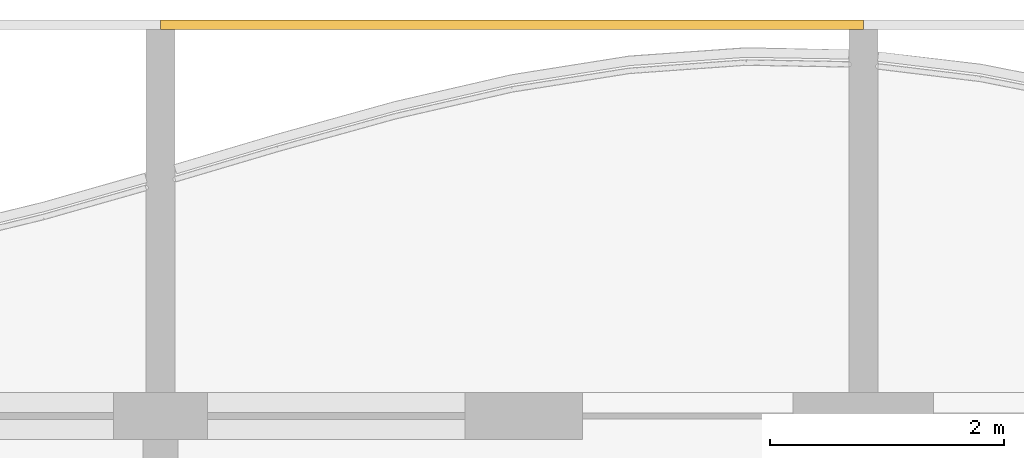
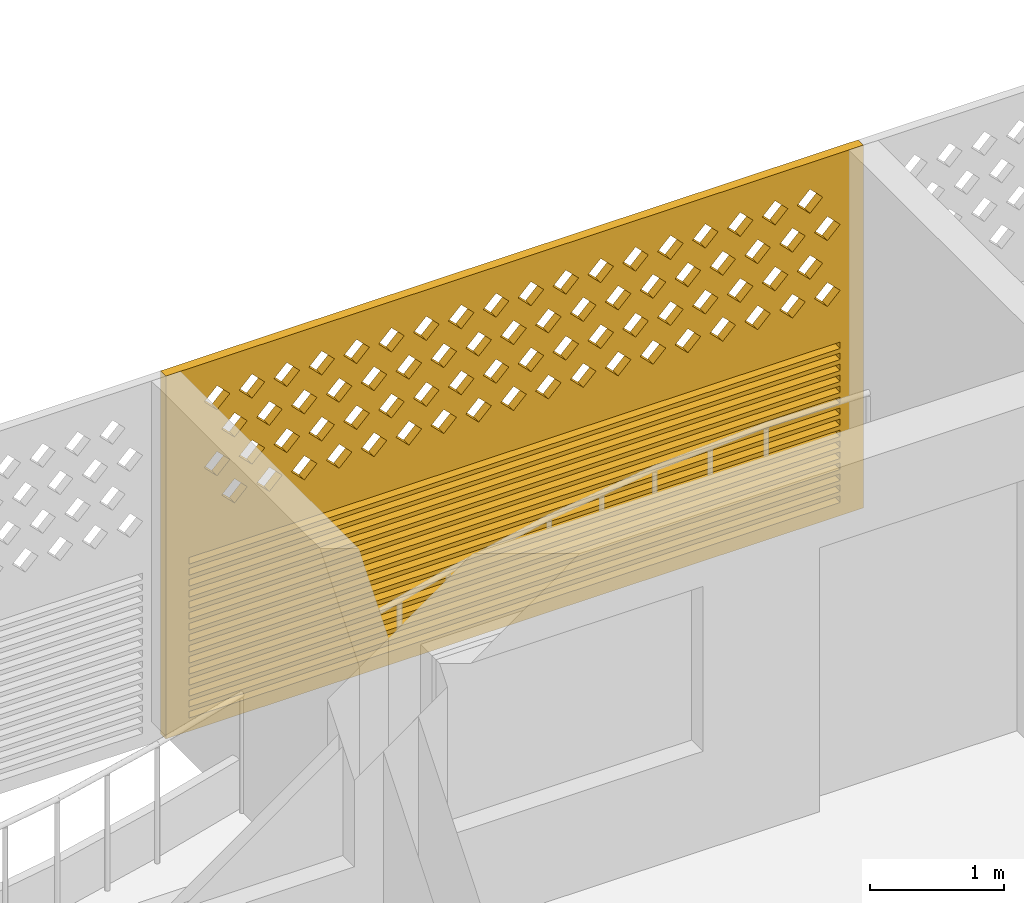
# One storey, part 20 of 32: 1 covering.
"""IFC4 building model written with IfcOpenShell, lengths in metres."""

from ifc_helpers import new_model, si_unit, direction, frame, origin, place, context, subcontext, project, spatial, polyline, outline, extrude, source, transform, mapped, material, material_profile, profile_set, type_object, element, save


model = new_model("IFC4")

# Units and contexts
model_context = context("Model", 3, precision=1e-05, world=origin(), true_north=direction((0.0, 1.0)))
body_context = subcontext(model_context, "Body", "Model", "MODEL_VIEW")
ifc_project = project(units=[si_unit("LENGTHUNIT", "METRE"), si_unit("AREAUNIT", "SQUARE_METRE"), si_unit("VOLUMEUNIT", "CUBIC_METRE"), si_unit("PLANEANGLEUNIT", "RADIAN"), si_unit("MASSUNIT", "GRAM", prefix="KILO")], contexts=[model_context])

# Site, building, storey
site_placement = place(None, origin())
site = spatial("IfcSite", under=ifc_project, at=site_placement, CompositionType="ELEMENT")
building_placement = place(site_placement, origin())
building = spatial("IfcBuilding", under=site, at=building_placement, Name="Poui Terraces", CompositionType="ELEMENT")
storey_placement = place(building_placement, frame((0.0, 0.0, 152.10009765625)))
storey = spatial("IfcBuildingStorey", under=building, at=storey_placement, Name="L42", CompositionType="ELEMENT", Elevation=152.10009765625)

# Covering
ifc_material = material(Name="Terracotta screen", Category="masonry")
ifc_material_profile = material_profile(ifc_material, outline(polyline([(-3.0, -1.64990234375), (3.0, -1.64990234375), (3.0, 1.64990234375), (-3.0, 1.64990234375), (-3.0, -1.64990234375)]), holes=[polyline([(-2.800048828125, 0.39990234375), (-2.68994140625, 0.2900390625), (-2.580078125, 0.39990234375), (-2.68994140625, 0.510009765625), (-2.800048828125, 0.39990234375)]), polyline([(-2.5, 0.39990234375), (-2.389892578125, 0.2900390625), (-2.280029296875, 0.39990234375), (-2.389892578125, 0.510009765625), (-2.5, 0.39990234375)]), polyline([(-2.199951171875, 0.39990234375), (-2.090087890625, 0.2900390625), (-1.97998046875, 0.39990234375), (-2.090087890625, 0.510009765625), (-2.199951171875, 0.39990234375)]), polyline([(-1.89990234375, 0.39990234375), (-1.7900390625, 0.2900390625), (-1.679931640625, 0.39990234375), (-1.7900390625, 0.510009765625), (-1.89990234375, 0.39990234375)]), polyline([(-1.60009765625, 0.39990234375), (-1.489990234375, 0.2900390625), (-1.3798828125, 0.39990234375), (-1.489990234375, 0.510009765625), (-1.60009765625, 0.39990234375)]), polyline([(-1.300048828125, 0.39990234375), (-1.18994140625, 0.2900390625), (-1.080078125, 0.39990234375), (-1.18994140625, 0.510009765625), (-1.300048828125, 0.39990234375)]), polyline([(-1.0, 0.39990234375), (-0.889892578125, 0.2900390625), (-0.780029296875, 0.39990234375), (-0.889892578125, 0.510009765625), (-1.0, 0.39990234375)]), polyline([(-0.699951171875, 0.39990234375), (-0.590087890625, 0.2900390625), (-0.47998046875, 0.39990234375), (-0.590087890625, 0.510009765625), (-0.699951171875, 0.39990234375)]), polyline([(-0.39990234375, 0.39990234375), (-0.2900390625, 0.2900390625), (-0.179931640625, 0.39990234375), (-0.2900390625, 0.510009765625), (-0.39990234375, 0.39990234375)]), polyline([(-0.10009765625, 0.39990234375), (0.010009765625, 0.2900390625), (0.1201171875, 0.39990234375), (0.010009765625, 0.510009765625), (-0.10009765625, 0.39990234375)]), polyline([(0.199951171875, 0.39990234375), (0.31005859375, 0.2900390625), (0.419921875, 0.39990234375), (0.31005859375, 0.510009765625), (0.199951171875, 0.39990234375)]), polyline([(0.5, 0.39990234375), (0.610107421875, 0.2900390625), (0.719970703125, 0.39990234375), (0.610107421875, 0.510009765625), (0.5, 0.39990234375)]), polyline([(0.800048828125, 0.39990234375), (0.909912109375, 0.2900390625), (1.02001953125, 0.39990234375), (0.909912109375, 0.510009765625), (0.800048828125, 0.39990234375)]), polyline([(1.10009765625, 0.39990234375), (1.2099609375, 0.2900390625), (1.320068359375, 0.39990234375), (1.2099609375, 0.510009765625), (1.10009765625, 0.39990234375)]), polyline([(1.39990234375, 0.39990234375), (1.510009765625, 0.2900390625), (1.6201171875, 0.39990234375), (1.510009765625, 0.510009765625), (1.39990234375, 0.39990234375)]), polyline([(1.699951171875, 0.39990234375), (1.81005859375, 0.2900390625), (1.919921875, 0.39990234375), (1.81005859375, 0.510009765625), (1.699951171875, 0.39990234375)]), polyline([(2.0, 0.39990234375), (2.110107421875, 0.2900390625), (2.219970703125, 0.39990234375), (2.110107421875, 0.510009765625), (2.0, 0.39990234375)]), polyline([(2.300048828125, 0.39990234375), (2.409912109375, 0.2900390625), (2.52001953125, 0.39990234375), (2.409912109375, 0.510009765625), (2.300048828125, 0.39990234375)]), polyline([(-2.64990234375, 0.699951171875), (-2.5400390625, 0.590087890625), (-2.429931640625, 0.699951171875), (-2.5400390625, 0.81005859375), (-2.64990234375, 0.699951171875)]), polyline([(-2.35009765625, 0.699951171875), (-2.239990234375, 0.590087890625), (-2.1298828125, 0.699951171875), (-2.239990234375, 0.81005859375), (-2.35009765625, 0.699951171875)]), polyline([(-2.050048828125, 0.699951171875), (-1.93994140625, 0.590087890625), (-1.830078125, 0.699951171875), (-1.93994140625, 0.81005859375), (-2.050048828125, 0.699951171875)]), polyline([(-1.75, 0.699951171875), (-1.639892578125, 0.590087890625), (-1.530029296875, 0.699951171875), (-1.639892578125, 0.81005859375), (-1.75, 0.699951171875)]), polyline([(-1.449951171875, 0.699951171875), (-1.340087890625, 0.590087890625), (-1.22998046875, 0.699951171875), (-1.340087890625, 0.81005859375), (-1.449951171875, 0.699951171875)]), polyline([(-1.14990234375, 0.699951171875), (-1.0400390625, 0.590087890625), (-0.929931640625, 0.699951171875), (-1.0400390625, 0.81005859375), (-1.14990234375, 0.699951171875)]), polyline([(-0.85009765625, 0.699951171875), (-0.739990234375, 0.590087890625), (-0.6298828125, 0.699951171875), (-0.739990234375, 0.81005859375), (-0.85009765625, 0.699951171875)]), polyline([(-0.550048828125, 0.699951171875), (-0.43994140625, 0.590087890625), (-0.330078125, 0.699951171875), (-0.43994140625, 0.81005859375), (-0.550048828125, 0.699951171875)]), polyline([(-0.25, 0.699951171875), (-0.139892578125, 0.590087890625), (-0.030029296875, 0.699951171875), (-0.139892578125, 0.81005859375), (-0.25, 0.699951171875)]), polyline([(0.050048828125, 0.699951171875), (0.159912109375, 0.590087890625), (0.27001953125, 0.699951171875), (0.159912109375, 0.81005859375), (0.050048828125, 0.699951171875)]), polyline([(0.35009765625, 0.699951171875), (0.4599609375, 0.590087890625), (0.570068359375, 0.699951171875), (0.4599609375, 0.81005859375), (0.35009765625, 0.699951171875)]), polyline([(0.64990234375, 0.699951171875), (0.760009765625, 0.590087890625), (0.8701171875, 0.699951171875), (0.760009765625, 0.81005859375), (0.64990234375, 0.699951171875)]), polyline([(0.949951171875, 0.699951171875), (1.06005859375, 0.590087890625), (1.169921875, 0.699951171875), (1.06005859375, 0.81005859375), (0.949951171875, 0.699951171875)]), polyline([(1.25, 0.699951171875), (1.360107421875, 0.590087890625), (1.469970703125, 0.699951171875), (1.360107421875, 0.81005859375), (1.25, 0.699951171875)]), polyline([(1.550048828125, 0.699951171875), (1.659912109375, 0.590087890625), (1.77001953125, 0.699951171875), (1.659912109375, 0.81005859375), (1.550048828125, 0.699951171875)]), polyline([(1.85009765625, 0.699951171875), (1.9599609375, 0.590087890625), (2.070068359375, 0.699951171875), (1.9599609375, 0.81005859375), (1.85009765625, 0.699951171875)]), polyline([(2.14990234375, 0.699951171875), (2.260009765625, 0.590087890625), (2.3701171875, 0.699951171875), (2.260009765625, 0.81005859375), (2.14990234375, 0.699951171875)]), polyline([(2.449951171875, 0.699951171875), (2.56005859375, 0.590087890625), (2.669921875, 0.699951171875), (2.56005859375, 0.81005859375), (2.449951171875, 0.699951171875)]), polyline([(-2.800048828125, 1.0), (-2.68994140625, 0.889892578125), (-2.580078125, 1.0), (-2.68994140625, 1.110107421875), (-2.800048828125, 1.0)]), polyline([(-2.5, 1.0), (-2.389892578125, 0.889892578125), (-2.280029296875, 1.0), (-2.389892578125, 1.110107421875), (-2.5, 1.0)]), polyline([(-2.199951171875, 1.0), (-2.090087890625, 0.889892578125), (-1.97998046875, 1.0), (-2.090087890625, 1.110107421875), (-2.199951171875, 1.0)]), polyline([(-1.89990234375, 1.0), (-1.7900390625, 0.889892578125), (-1.679931640625, 1.0), (-1.7900390625, 1.110107421875), (-1.89990234375, 1.0)]), polyline([(-1.60009765625, 1.0), (-1.489990234375, 0.889892578125), (-1.3798828125, 1.0), (-1.489990234375, 1.110107421875), (-1.60009765625, 1.0)]), polyline([(-1.300048828125, 1.0), (-1.18994140625, 0.889892578125), (-1.080078125, 1.0), (-1.18994140625, 1.110107421875), (-1.300048828125, 1.0)]), polyline([(-1.0, 1.0), (-0.889892578125, 0.889892578125), (-0.780029296875, 1.0), (-0.889892578125, 1.110107421875), (-1.0, 1.0)]), polyline([(-0.699951171875, 1.0), (-0.590087890625, 0.889892578125), (-0.47998046875, 1.0), (-0.590087890625, 1.110107421875), (-0.699951171875, 1.0)]), polyline([(-0.39990234375, 1.0), (-0.2900390625, 0.889892578125), (-0.179931640625, 1.0), (-0.2900390625, 1.110107421875), (-0.39990234375, 1.0)]), polyline([(-0.10009765625, 1.0), (0.010009765625, 0.889892578125), (0.1201171875, 1.0), (0.010009765625, 1.110107421875), (-0.10009765625, 1.0)]), polyline([(0.199951171875, 1.0), (0.31005859375, 0.889892578125), (0.419921875, 1.0), (0.31005859375, 1.110107421875), (0.199951171875, 1.0)]), polyline([(0.5, 1.0), (0.610107421875, 0.889892578125), (0.719970703125, 1.0), (0.610107421875, 1.110107421875), (0.5, 1.0)]), polyline([(0.800048828125, 1.0), (0.909912109375, 0.889892578125), (1.02001953125, 1.0), (0.909912109375, 1.110107421875), (0.800048828125, 1.0)]), polyline([(1.10009765625, 1.0), (1.2099609375, 0.889892578125), (1.320068359375, 1.0), (1.2099609375, 1.110107421875), (1.10009765625, 1.0)]), polyline([(1.39990234375, 1.0), (1.510009765625, 0.889892578125), (1.6201171875, 1.0), (1.510009765625, 1.110107421875), (1.39990234375, 1.0)]), polyline([(1.699951171875, 1.0), (1.81005859375, 0.889892578125), (1.919921875, 1.0), (1.81005859375, 1.110107421875), (1.699951171875, 1.0)]), polyline([(2.0, 1.0), (2.110107421875, 0.889892578125), (2.219970703125, 1.0), (2.110107421875, 1.110107421875), (2.0, 1.0)]), polyline([(2.300048828125, 1.0), (2.409912109375, 0.889892578125), (2.52001953125, 1.0), (2.409912109375, 1.110107421875), (2.300048828125, 1.0)]), polyline([(-2.64990234375, 1.300048828125), (-2.5400390625, 1.18994140625), (-2.429931640625, 1.300048828125), (-2.5400390625, 1.409912109375), (-2.64990234375, 1.300048828125)]), polyline([(-2.35009765625, 1.300048828125), (-2.239990234375, 1.18994140625), (-2.1298828125, 1.300048828125), (-2.239990234375, 1.409912109375), (-2.35009765625, 1.300048828125)]), polyline([(-2.050048828125, 1.300048828125), (-1.93994140625, 1.18994140625), (-1.830078125, 1.300048828125), (-1.93994140625, 1.409912109375), (-2.050048828125, 1.300048828125)]), polyline([(-1.75, 1.300048828125), (-1.639892578125, 1.18994140625), (-1.530029296875, 1.300048828125), (-1.639892578125, 1.409912109375), (-1.75, 1.300048828125)]), polyline([(-1.449951171875, 1.300048828125), (-1.340087890625, 1.18994140625), (-1.22998046875, 1.300048828125), (-1.340087890625, 1.409912109375), (-1.449951171875, 1.300048828125)]), polyline([(-1.14990234375, 1.300048828125), (-1.0400390625, 1.18994140625), (-0.929931640625, 1.300048828125), (-1.0400390625, 1.409912109375), (-1.14990234375, 1.300048828125)]), polyline([(-0.85009765625, 1.300048828125), (-0.739990234375, 1.18994140625), (-0.6298828125, 1.300048828125), (-0.739990234375, 1.409912109375), (-0.85009765625, 1.300048828125)]), polyline([(-0.550048828125, 1.300048828125), (-0.43994140625, 1.18994140625), (-0.330078125, 1.300048828125), (-0.43994140625, 1.409912109375), (-0.550048828125, 1.300048828125)]), polyline([(-0.25, 1.300048828125), (-0.139892578125, 1.18994140625), (-0.030029296875, 1.300048828125), (-0.139892578125, 1.409912109375), (-0.25, 1.300048828125)]), polyline([(0.050048828125, 1.300048828125), (0.159912109375, 1.18994140625), (0.27001953125, 1.300048828125), (0.159912109375, 1.409912109375), (0.050048828125, 1.300048828125)]), polyline([(0.35009765625, 1.300048828125), (0.4599609375, 1.18994140625), (0.570068359375, 1.300048828125), (0.4599609375, 1.409912109375), (0.35009765625, 1.300048828125)]), polyline([(0.64990234375, 1.300048828125), (0.760009765625, 1.18994140625), (0.8701171875, 1.300048828125), (0.760009765625, 1.409912109375), (0.64990234375, 1.300048828125)]), polyline([(0.949951171875, 1.300048828125), (1.06005859375, 1.18994140625), (1.169921875, 1.300048828125), (1.06005859375, 1.409912109375), (0.949951171875, 1.300048828125)]), polyline([(1.25, 1.300048828125), (1.360107421875, 1.18994140625), (1.469970703125, 1.300048828125), (1.360107421875, 1.409912109375), (1.25, 1.300048828125)]), polyline([(1.550048828125, 1.300048828125), (1.659912109375, 1.18994140625), (1.77001953125, 1.300048828125), (1.659912109375, 1.409912109375), (1.550048828125, 1.300048828125)]), polyline([(1.85009765625, 1.300048828125), (1.9599609375, 1.18994140625), (2.070068359375, 1.300048828125), (1.9599609375, 1.409912109375), (1.85009765625, 1.300048828125)]), polyline([(2.14990234375, 1.300048828125), (2.260009765625, 1.18994140625), (2.3701171875, 1.300048828125), (2.260009765625, 1.409912109375), (2.14990234375, 1.300048828125)]), polyline([(2.449951171875, 1.300048828125), (2.56005859375, 1.18994140625), (2.669921875, 1.300048828125), (2.56005859375, 1.409912109375), (2.449951171875, 1.300048828125)]), polyline([(-2.800048828125, -1.530029296875), (2.800048828125, -1.530029296875), (2.800048828125, -1.469970703125), (-2.800048828125, -1.469970703125), (-2.800048828125, -1.530029296875)]), polyline([(-2.800048828125, -1.429931640625), (2.800048828125, -1.429931640625), (2.800048828125, -1.3701171875), (-2.800048828125, -1.3701171875), (-2.800048828125, -1.429931640625)]), polyline([(-2.800048828125, -1.330078125), (2.800048828125, -1.330078125), (2.800048828125, -1.27001953125), (-2.800048828125, -1.27001953125), (-2.800048828125, -1.330078125)]), polyline([(-2.800048828125, -1.22998046875), (2.800048828125, -1.22998046875), (2.800048828125, -1.169921875), (-2.800048828125, -1.169921875), (-2.800048828125, -1.22998046875)]), polyline([(-2.800048828125, -1.1298828125), (2.800048828125, -1.1298828125), (2.800048828125, -1.070068359375), (-2.800048828125, -1.070068359375), (-2.800048828125, -1.1298828125)]), polyline([(-2.800048828125, -1.030029296875), (2.800048828125, -1.030029296875), (2.800048828125, -0.969970703125), (-2.800048828125, -0.969970703125), (-2.800048828125, -1.030029296875)]), polyline([(-2.800048828125, -0.929931640625), (2.800048828125, -0.929931640625), (2.800048828125, -0.8701171875), (-2.800048828125, -0.8701171875), (-2.800048828125, -0.929931640625)]), polyline([(-2.800048828125, -0.830078125), (2.800048828125, -0.830078125), (2.800048828125, -0.77001953125), (-2.800048828125, -0.77001953125), (-2.800048828125, -0.830078125)]), polyline([(-2.800048828125, -0.72998046875), (2.800048828125, -0.72998046875), (2.800048828125, -0.669921875), (-2.800048828125, -0.669921875), (-2.800048828125, -0.72998046875)]), polyline([(-2.800048828125, -0.6298828125), (2.800048828125, -0.6298828125), (2.800048828125, -0.570068359375), (-2.800048828125, -0.570068359375), (-2.800048828125, -0.6298828125)]), polyline([(-2.800048828125, -0.530029296875), (2.800048828125, -0.530029296875), (2.800048828125, -0.469970703125), (-2.800048828125, -0.469970703125), (-2.800048828125, -0.530029296875)]), polyline([(-2.800048828125, -0.429931640625), (2.800048828125, -0.429931640625), (2.800048828125, -0.3701171875), (-2.800048828125, -0.3701171875), (-2.800048828125, -0.429931640625)]), polyline([(-2.800048828125, -0.330078125), (2.800048828125, -0.330078125), (2.800048828125, -0.27001953125), (-2.800048828125, -0.27001953125), (-2.800048828125, -0.330078125)]), polyline([(-2.800048828125, -0.22998046875), (2.800048828125, -0.22998046875), (2.800048828125, -0.169921875), (-2.800048828125, -0.169921875), (-2.800048828125, -0.22998046875)]), polyline([(-2.800048828125, -0.1298828125), (2.800048828125, -0.1298828125), (2.800048828125, -0.070068359375), (-2.800048828125, -0.070068359375), (-2.800048828125, -0.1298828125)])]), Name="TERRACOTTA SCREEN AND JALOUSIE LOUVRE 6000X3300")
ifc_profile_set = profile_set([ifc_material_profile], Name="Terracotta screen")
covering_type = type_object("IfcCoveringType", Name="TERRACOTTA SCREEN AND JALOUSIE LOUVRE 6000X3300", PredefinedType="CLADDING", material=ifc_profile_set)
shared_shape = source(origin(), body_context, "Body", "SweptSolid", [
    extrude(outline(polyline([(-3.0, -1.64990234375), (3.0, -1.64990234375), (3.0, 1.64990234375), (-3.0, 1.64990234375), (-3.0, -1.64990234375)]), holes=[polyline([(-2.800048828125, 0.39990234375), (-2.68994140625, 0.2900390625), (-2.580078125, 0.39990234375), (-2.68994140625, 0.510009765625), (-2.800048828125, 0.39990234375)]), polyline([(-2.5, 0.39990234375), (-2.389892578125, 0.2900390625), (-2.280029296875, 0.39990234375), (-2.389892578125, 0.510009765625), (-2.5, 0.39990234375)]), polyline([(-2.199951171875, 0.39990234375), (-2.090087890625, 0.2900390625), (-1.97998046875, 0.39990234375), (-2.090087890625, 0.510009765625), (-2.199951171875, 0.39990234375)]), polyline([(-1.89990234375, 0.39990234375), (-1.7900390625, 0.2900390625), (-1.679931640625, 0.39990234375), (-1.7900390625, 0.510009765625), (-1.89990234375, 0.39990234375)]), polyline([(-1.60009765625, 0.39990234375), (-1.489990234375, 0.2900390625), (-1.3798828125, 0.39990234375), (-1.489990234375, 0.510009765625), (-1.60009765625, 0.39990234375)]), polyline([(-1.300048828125, 0.39990234375), (-1.18994140625, 0.2900390625), (-1.080078125, 0.39990234375), (-1.18994140625, 0.510009765625), (-1.300048828125, 0.39990234375)]), polyline([(-1.0, 0.39990234375), (-0.889892578125, 0.2900390625), (-0.780029296875, 0.39990234375), (-0.889892578125, 0.510009765625), (-1.0, 0.39990234375)]), polyline([(-0.699951171875, 0.39990234375), (-0.590087890625, 0.2900390625), (-0.47998046875, 0.39990234375), (-0.590087890625, 0.510009765625), (-0.699951171875, 0.39990234375)]), polyline([(-0.39990234375, 0.39990234375), (-0.2900390625, 0.2900390625), (-0.179931640625, 0.39990234375), (-0.2900390625, 0.510009765625), (-0.39990234375, 0.39990234375)]), polyline([(-0.10009765625, 0.39990234375), (0.010009765625, 0.2900390625), (0.1201171875, 0.39990234375), (0.010009765625, 0.510009765625), (-0.10009765625, 0.39990234375)]), polyline([(0.199951171875, 0.39990234375), (0.31005859375, 0.2900390625), (0.419921875, 0.39990234375), (0.31005859375, 0.510009765625), (0.199951171875, 0.39990234375)]), polyline([(0.5, 0.39990234375), (0.610107421875, 0.2900390625), (0.719970703125, 0.39990234375), (0.610107421875, 0.510009765625), (0.5, 0.39990234375)]), polyline([(0.800048828125, 0.39990234375), (0.909912109375, 0.2900390625), (1.02001953125, 0.39990234375), (0.909912109375, 0.510009765625), (0.800048828125, 0.39990234375)]), polyline([(1.10009765625, 0.39990234375), (1.2099609375, 0.2900390625), (1.320068359375, 0.39990234375), (1.2099609375, 0.510009765625), (1.10009765625, 0.39990234375)]), polyline([(1.39990234375, 0.39990234375), (1.510009765625, 0.2900390625), (1.6201171875, 0.39990234375), (1.510009765625, 0.510009765625), (1.39990234375, 0.39990234375)]), polyline([(1.699951171875, 0.39990234375), (1.81005859375, 0.2900390625), (1.919921875, 0.39990234375), (1.81005859375, 0.510009765625), (1.699951171875, 0.39990234375)]), polyline([(2.0, 0.39990234375), (2.110107421875, 0.2900390625), (2.219970703125, 0.39990234375), (2.110107421875, 0.510009765625), (2.0, 0.39990234375)]), polyline([(2.300048828125, 0.39990234375), (2.409912109375, 0.2900390625), (2.52001953125, 0.39990234375), (2.409912109375, 0.510009765625), (2.300048828125, 0.39990234375)]), polyline([(-2.64990234375, 0.699951171875), (-2.5400390625, 0.590087890625), (-2.429931640625, 0.699951171875), (-2.5400390625, 0.81005859375), (-2.64990234375, 0.699951171875)]), polyline([(-2.35009765625, 0.699951171875), (-2.239990234375, 0.590087890625), (-2.1298828125, 0.699951171875), (-2.239990234375, 0.81005859375), (-2.35009765625, 0.699951171875)]), polyline([(-2.050048828125, 0.699951171875), (-1.93994140625, 0.590087890625), (-1.830078125, 0.699951171875), (-1.93994140625, 0.81005859375), (-2.050048828125, 0.699951171875)]), polyline([(-1.75, 0.699951171875), (-1.639892578125, 0.590087890625), (-1.530029296875, 0.699951171875), (-1.639892578125, 0.81005859375), (-1.75, 0.699951171875)]), polyline([(-1.449951171875, 0.699951171875), (-1.340087890625, 0.590087890625), (-1.22998046875, 0.699951171875), (-1.340087890625, 0.81005859375), (-1.449951171875, 0.699951171875)]), polyline([(-1.14990234375, 0.699951171875), (-1.0400390625, 0.590087890625), (-0.929931640625, 0.699951171875), (-1.0400390625, 0.81005859375), (-1.14990234375, 0.699951171875)]), polyline([(-0.85009765625, 0.699951171875), (-0.739990234375, 0.590087890625), (-0.6298828125, 0.699951171875), (-0.739990234375, 0.81005859375), (-0.85009765625, 0.699951171875)]), polyline([(-0.550048828125, 0.699951171875), (-0.43994140625, 0.590087890625), (-0.330078125, 0.699951171875), (-0.43994140625, 0.81005859375), (-0.550048828125, 0.699951171875)]), polyline([(-0.25, 0.699951171875), (-0.139892578125, 0.590087890625), (-0.030029296875, 0.699951171875), (-0.139892578125, 0.81005859375), (-0.25, 0.699951171875)]), polyline([(0.050048828125, 0.699951171875), (0.159912109375, 0.590087890625), (0.27001953125, 0.699951171875), (0.159912109375, 0.81005859375), (0.050048828125, 0.699951171875)]), polyline([(0.35009765625, 0.699951171875), (0.4599609375, 0.590087890625), (0.570068359375, 0.699951171875), (0.4599609375, 0.81005859375), (0.35009765625, 0.699951171875)]), polyline([(0.64990234375, 0.699951171875), (0.760009765625, 0.590087890625), (0.8701171875, 0.699951171875), (0.760009765625, 0.81005859375), (0.64990234375, 0.699951171875)]), polyline([(0.949951171875, 0.699951171875), (1.06005859375, 0.590087890625), (1.169921875, 0.699951171875), (1.06005859375, 0.81005859375), (0.949951171875, 0.699951171875)]), polyline([(1.25, 0.699951171875), (1.360107421875, 0.590087890625), (1.469970703125, 0.699951171875), (1.360107421875, 0.81005859375), (1.25, 0.699951171875)]), polyline([(1.550048828125, 0.699951171875), (1.659912109375, 0.590087890625), (1.77001953125, 0.699951171875), (1.659912109375, 0.81005859375), (1.550048828125, 0.699951171875)]), polyline([(1.85009765625, 0.699951171875), (1.9599609375, 0.590087890625), (2.070068359375, 0.699951171875), (1.9599609375, 0.81005859375), (1.85009765625, 0.699951171875)]), polyline([(2.14990234375, 0.699951171875), (2.260009765625, 0.590087890625), (2.3701171875, 0.699951171875), (2.260009765625, 0.81005859375), (2.14990234375, 0.699951171875)]), polyline([(2.449951171875, 0.699951171875), (2.56005859375, 0.590087890625), (2.669921875, 0.699951171875), (2.56005859375, 0.81005859375), (2.449951171875, 0.699951171875)]), polyline([(-2.800048828125, 1.0), (-2.68994140625, 0.889892578125), (-2.580078125, 1.0), (-2.68994140625, 1.110107421875), (-2.800048828125, 1.0)]), polyline([(-2.5, 1.0), (-2.389892578125, 0.889892578125), (-2.280029296875, 1.0), (-2.389892578125, 1.110107421875), (-2.5, 1.0)]), polyline([(-2.199951171875, 1.0), (-2.090087890625, 0.889892578125), (-1.97998046875, 1.0), (-2.090087890625, 1.110107421875), (-2.199951171875, 1.0)]), polyline([(-1.89990234375, 1.0), (-1.7900390625, 0.889892578125), (-1.679931640625, 1.0), (-1.7900390625, 1.110107421875), (-1.89990234375, 1.0)]), polyline([(-1.60009765625, 1.0), (-1.489990234375, 0.889892578125), (-1.3798828125, 1.0), (-1.489990234375, 1.110107421875), (-1.60009765625, 1.0)]), polyline([(-1.300048828125, 1.0), (-1.18994140625, 0.889892578125), (-1.080078125, 1.0), (-1.18994140625, 1.110107421875), (-1.300048828125, 1.0)]), polyline([(-1.0, 1.0), (-0.889892578125, 0.889892578125), (-0.780029296875, 1.0), (-0.889892578125, 1.110107421875), (-1.0, 1.0)]), polyline([(-0.699951171875, 1.0), (-0.590087890625, 0.889892578125), (-0.47998046875, 1.0), (-0.590087890625, 1.110107421875), (-0.699951171875, 1.0)]), polyline([(-0.39990234375, 1.0), (-0.2900390625, 0.889892578125), (-0.179931640625, 1.0), (-0.2900390625, 1.110107421875), (-0.39990234375, 1.0)]), polyline([(-0.10009765625, 1.0), (0.010009765625, 0.889892578125), (0.1201171875, 1.0), (0.010009765625, 1.110107421875), (-0.10009765625, 1.0)]), polyline([(0.199951171875, 1.0), (0.31005859375, 0.889892578125), (0.419921875, 1.0), (0.31005859375, 1.110107421875), (0.199951171875, 1.0)]), polyline([(0.5, 1.0), (0.610107421875, 0.889892578125), (0.719970703125, 1.0), (0.610107421875, 1.110107421875), (0.5, 1.0)]), polyline([(0.800048828125, 1.0), (0.909912109375, 0.889892578125), (1.02001953125, 1.0), (0.909912109375, 1.110107421875), (0.800048828125, 1.0)]), polyline([(1.10009765625, 1.0), (1.2099609375, 0.889892578125), (1.320068359375, 1.0), (1.2099609375, 1.110107421875), (1.10009765625, 1.0)]), polyline([(1.39990234375, 1.0), (1.510009765625, 0.889892578125), (1.6201171875, 1.0), (1.510009765625, 1.110107421875), (1.39990234375, 1.0)]), polyline([(1.699951171875, 1.0), (1.81005859375, 0.889892578125), (1.919921875, 1.0), (1.81005859375, 1.110107421875), (1.699951171875, 1.0)]), polyline([(2.0, 1.0), (2.110107421875, 0.889892578125), (2.219970703125, 1.0), (2.110107421875, 1.110107421875), (2.0, 1.0)]), polyline([(2.300048828125, 1.0), (2.409912109375, 0.889892578125), (2.52001953125, 1.0), (2.409912109375, 1.110107421875), (2.300048828125, 1.0)]), polyline([(-2.64990234375, 1.300048828125), (-2.5400390625, 1.18994140625), (-2.429931640625, 1.300048828125), (-2.5400390625, 1.409912109375), (-2.64990234375, 1.300048828125)]), polyline([(-2.35009765625, 1.300048828125), (-2.239990234375, 1.18994140625), (-2.1298828125, 1.300048828125), (-2.239990234375, 1.409912109375), (-2.35009765625, 1.300048828125)]), polyline([(-2.050048828125, 1.300048828125), (-1.93994140625, 1.18994140625), (-1.830078125, 1.300048828125), (-1.93994140625, 1.409912109375), (-2.050048828125, 1.300048828125)]), polyline([(-1.75, 1.300048828125), (-1.639892578125, 1.18994140625), (-1.530029296875, 1.300048828125), (-1.639892578125, 1.409912109375), (-1.75, 1.300048828125)]), polyline([(-1.449951171875, 1.300048828125), (-1.340087890625, 1.18994140625), (-1.22998046875, 1.300048828125), (-1.340087890625, 1.409912109375), (-1.449951171875, 1.300048828125)]), polyline([(-1.14990234375, 1.300048828125), (-1.0400390625, 1.18994140625), (-0.929931640625, 1.300048828125), (-1.0400390625, 1.409912109375), (-1.14990234375, 1.300048828125)]), polyline([(-0.85009765625, 1.300048828125), (-0.739990234375, 1.18994140625), (-0.6298828125, 1.300048828125), (-0.739990234375, 1.409912109375), (-0.85009765625, 1.300048828125)]), polyline([(-0.550048828125, 1.300048828125), (-0.43994140625, 1.18994140625), (-0.330078125, 1.300048828125), (-0.43994140625, 1.409912109375), (-0.550048828125, 1.300048828125)]), polyline([(-0.25, 1.300048828125), (-0.139892578125, 1.18994140625), (-0.030029296875, 1.300048828125), (-0.139892578125, 1.409912109375), (-0.25, 1.300048828125)]), polyline([(0.050048828125, 1.300048828125), (0.159912109375, 1.18994140625), (0.27001953125, 1.300048828125), (0.159912109375, 1.409912109375), (0.050048828125, 1.300048828125)]), polyline([(0.35009765625, 1.300048828125), (0.4599609375, 1.18994140625), (0.570068359375, 1.300048828125), (0.4599609375, 1.409912109375), (0.35009765625, 1.300048828125)]), polyline([(0.64990234375, 1.300048828125), (0.760009765625, 1.18994140625), (0.8701171875, 1.300048828125), (0.760009765625, 1.409912109375), (0.64990234375, 1.300048828125)]), polyline([(0.949951171875, 1.300048828125), (1.06005859375, 1.18994140625), (1.169921875, 1.300048828125), (1.06005859375, 1.409912109375), (0.949951171875, 1.300048828125)]), polyline([(1.25, 1.300048828125), (1.360107421875, 1.18994140625), (1.469970703125, 1.300048828125), (1.360107421875, 1.409912109375), (1.25, 1.300048828125)]), polyline([(1.550048828125, 1.300048828125), (1.659912109375, 1.18994140625), (1.77001953125, 1.300048828125), (1.659912109375, 1.409912109375), (1.550048828125, 1.300048828125)]), polyline([(1.85009765625, 1.300048828125), (1.9599609375, 1.18994140625), (2.070068359375, 1.300048828125), (1.9599609375, 1.409912109375), (1.85009765625, 1.300048828125)]), polyline([(2.14990234375, 1.300048828125), (2.260009765625, 1.18994140625), (2.3701171875, 1.300048828125), (2.260009765625, 1.409912109375), (2.14990234375, 1.300048828125)]), polyline([(2.449951171875, 1.300048828125), (2.56005859375, 1.18994140625), (2.669921875, 1.300048828125), (2.56005859375, 1.409912109375), (2.449951171875, 1.300048828125)]), polyline([(-2.800048828125, -1.530029296875), (2.800048828125, -1.530029296875), (2.800048828125, -1.469970703125), (-2.800048828125, -1.469970703125), (-2.800048828125, -1.530029296875)]), polyline([(-2.800048828125, -1.429931640625), (2.800048828125, -1.429931640625), (2.800048828125, -1.3701171875), (-2.800048828125, -1.3701171875), (-2.800048828125, -1.429931640625)]), polyline([(-2.800048828125, -1.330078125), (2.800048828125, -1.330078125), (2.800048828125, -1.27001953125), (-2.800048828125, -1.27001953125), (-2.800048828125, -1.330078125)]), polyline([(-2.800048828125, -1.22998046875), (2.800048828125, -1.22998046875), (2.800048828125, -1.169921875), (-2.800048828125, -1.169921875), (-2.800048828125, -1.22998046875)]), polyline([(-2.800048828125, -1.1298828125), (2.800048828125, -1.1298828125), (2.800048828125, -1.070068359375), (-2.800048828125, -1.070068359375), (-2.800048828125, -1.1298828125)]), polyline([(-2.800048828125, -1.030029296875), (2.800048828125, -1.030029296875), (2.800048828125, -0.969970703125), (-2.800048828125, -0.969970703125), (-2.800048828125, -1.030029296875)]), polyline([(-2.800048828125, -0.929931640625), (2.800048828125, -0.929931640625), (2.800048828125, -0.8701171875), (-2.800048828125, -0.8701171875), (-2.800048828125, -0.929931640625)]), polyline([(-2.800048828125, -0.830078125), (2.800048828125, -0.830078125), (2.800048828125, -0.77001953125), (-2.800048828125, -0.77001953125), (-2.800048828125, -0.830078125)]), polyline([(-2.800048828125, -0.72998046875), (2.800048828125, -0.72998046875), (2.800048828125, -0.669921875), (-2.800048828125, -0.669921875), (-2.800048828125, -0.72998046875)]), polyline([(-2.800048828125, -0.6298828125), (2.800048828125, -0.6298828125), (2.800048828125, -0.570068359375), (-2.800048828125, -0.570068359375), (-2.800048828125, -0.6298828125)]), polyline([(-2.800048828125, -0.530029296875), (2.800048828125, -0.530029296875), (2.800048828125, -0.469970703125), (-2.800048828125, -0.469970703125), (-2.800048828125, -0.530029296875)]), polyline([(-2.800048828125, -0.429931640625), (2.800048828125, -0.429931640625), (2.800048828125, -0.3701171875), (-2.800048828125, -0.3701171875), (-2.800048828125, -0.429931640625)]), polyline([(-2.800048828125, -0.330078125), (2.800048828125, -0.330078125), (2.800048828125, -0.27001953125), (-2.800048828125, -0.27001953125), (-2.800048828125, -0.330078125)]), polyline([(-2.800048828125, -0.22998046875), (2.800048828125, -0.22998046875), (2.800048828125, -0.169921875), (-2.800048828125, -0.169921875), (-2.800048828125, -0.22998046875)]), polyline([(-2.800048828125, -0.1298828125), (2.800048828125, -0.1298828125), (2.800048828125, -0.070068359375), (-2.800048828125, -0.070068359375), (-2.800048828125, -0.1298828125)])]), origin(), (0.0, 0.0, 1.0), 0.080078125),
])
covering_placement = place(storey_placement, frame((27.0, 45.699951171875, 1.449951171875), z_axis=(0.0, 1.0, 0.0), x_axis=(-1.0, 0.0, 0.0)))
element("IfcCovering", 1, at=covering_placement, inside=storey, type_object=covering_type, Name="SOLAR SCREEN AND JALOUSIE LOUVRE", PredefinedType="CLADDING", context=body_context, shape_type="MappedRepresentation", body=[
    mapped(shared_shape, transform((0.0, 0.0, 0.0))),
])

save(model, "model.ifc")
